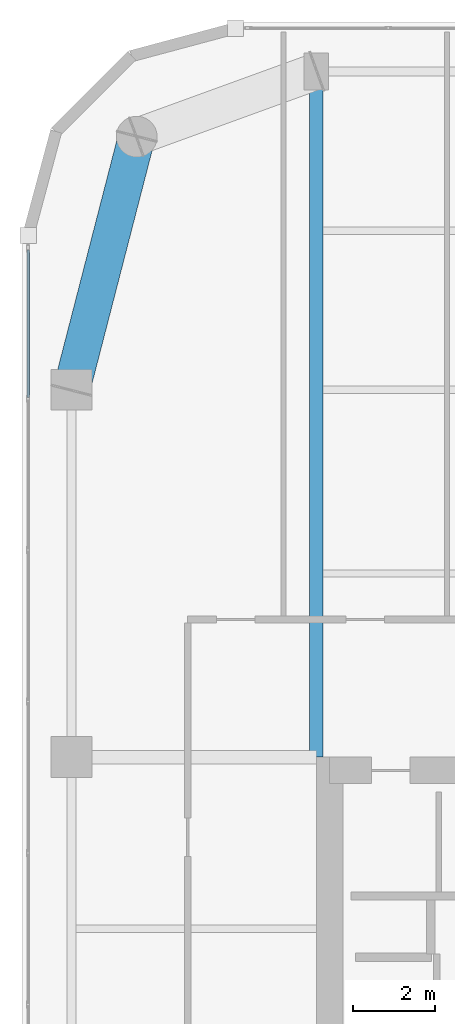
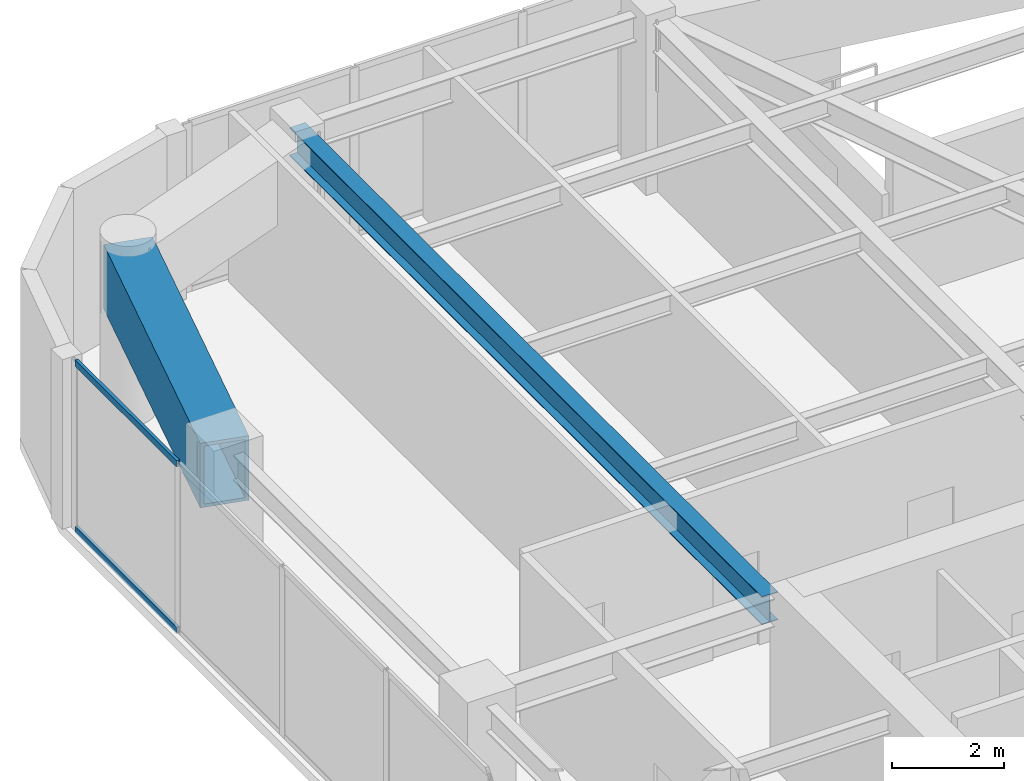
# One storey, part 7 of 22: 2 beams, 2 members, 1 element without a shape of its own.
"""IFC4 building model written with IfcOpenShell, lengths in metres."""

from ifc_helpers import new_model, si_unit, direction, frame, origin, origin_2d, place, context, subcontext, project, spatial, hollow_rectangle, i_section, extrude, material, layer, layer_set, material_profile, profile_set, type_object, element, aggregate, save


model = new_model("IFC4")

# Units and contexts
model_context = context("Model", 3, precision=1e-05, world=origin(), true_north=direction((0.0, 1.0)))
body_context = subcontext(model_context, "Body", "Model", "MODEL_VIEW")
ifc_project = project(units=[si_unit("LENGTHUNIT", "METRE"), si_unit("AREAUNIT", "SQUARE_METRE"), si_unit("VOLUMEUNIT", "CUBIC_METRE"), si_unit("PLANEANGLEUNIT", "RADIAN"), si_unit("MASSUNIT", "GRAM", prefix="KILO")], contexts=[model_context])

# Site, building, storey
site_placement = place(None, origin())
site = spatial("IfcSite", under=ifc_project, at=site_placement, CompositionType="ELEMENT")
building_placement = place(site_placement, origin())
building = spatial("IfcBuilding", under=site, at=building_placement, Name="Kiyonajd Concourse Tower", CompositionType="ELEMENT")
storey_placement = place(building_placement, frame((0.0, 0.0, 243.300048828125)))
storey = spatial("IfcBuildingStorey", under=building, at=storey_placement, Name="L61", CompositionType="ELEMENT", Elevation=243.300048828125)

# Beams
ifc_material_1 = material(Name="Steel ASTM A992 Grade 50", Category="steel")
ifc_material_profile_1 = material_profile(ifc_material_1, i_section(OverallWidth=0.323974609375, OverallDepth=0.611083984375, WebThickness=0.0126953125, FlangeThickness=0.01904296875, at=origin_2d()), Name="W610X155")
ifc_profile_set_1 = profile_set([ifc_material_profile_1], Name="Steel ASTM A992 Grade 50")
beam_type_1 = type_object("IfcBeamType", Name="BM-TWR-610B", PredefinedType="BEAM", material=ifc_profile_set_1)
beam_1_placement = place(storey_placement, frame((32.39990234375, 44.39990234375, 3.37451171875), z_axis=(0.0, 1.0, 0.0), x_axis=(-1.0, 0.0, 0.0)))
element("IfcBeam", 1, at=beam_1_placement, inside=storey, type_object=beam_type_1, Name="L61 North Lease Girder", PredefinedType="BEAM", context=body_context, shape_type="SweptSolid", body=[
    extrude(i_section(OverallWidth=0.323974609375, OverallDepth=0.611083984375, WebThickness=0.0126953125, FlangeThickness=0.01904296875, at=origin_2d()), origin(), (0.0, 0.0, 1.0), 16.800048828125),
])
ifc_material_2 = material(Name="Steel ASTM A572 Grade 50", Category="steel")
ifc_material_profile_2 = material_profile(ifc_material_2, hollow_rectangle(XDim=0.89990234375, YDim=1.39990234375, WallThickness=0.070068359375, at=origin_2d()), Name="BOX-1400x900x70")
ifc_profile_set_2 = profile_set([ifc_material_profile_2], Name="Steel ASTM A572 Grade 50")
beam_type_2 = type_object("IfcBeamType", Name="BM-XFER-1400", PredefinedType="BEAM", material=ifc_profile_set_2)
beam_2_placement = place(storey_placement, frame((28.0, 59.60009765625, 2.97998046875), z_axis=(-0.249884937687, -0.968275538221, 0.0), x_axis=(0.968275538221, -0.249884937687, 0.0)))
element("IfcBeam", 2, at=beam_2_placement, inside=storey, type_object=beam_type_2, Name="L61 Perimeter Bundled Tube Spandrel", PredefinedType="BEAM", context=body_context, shape_type="SweptSolid", body=[
    extrude(hollow_rectangle(XDim=0.89990234375, YDim=1.39990234375, WallThickness=0.070068359375, at=origin_2d()), origin(), (0.0, 0.0, 1.0), 6.4033203125),
])

# Curtain wall, members
ifc_material_3 = material(Name="Thermally Broken Anodised Aluminium", Category="aluminium")
ifc_layer = layer(ifc_material_3, 0.179931640625)
ifc_layer_set = layer_set([ifc_layer], Name="Thermally Broken Anodised Aluminium")
curtain_wall_type = type_object("IfcCurtainWallType", Name="CW-SYS-04", PredefinedType="NOTDEFINED", material=ifc_layer_set)
curtain_wall_placement = place(storey_placement, origin())
curtain_wall = element("IfcCurtainWall", 3, at=curtain_wall_placement, inside=storey, type_object=curtain_wall_type, Name="L61 Unitised Curtain Wall CW4", PredefinedType="NOTDEFINED")
ifc_material_profile_3 = material_profile(ifc_material_3, hollow_rectangle(XDim=0.06494140625, YDim=0.139892578125, WallThickness=0.00390625, at=origin_2d()), Name="TRAN-65x140")
ifc_profile_set_3 = profile_set([ifc_material_profile_3], Name="Thermally Broken Anodised Aluminium")
member_type = type_object("IfcMemberType", Name="MB-CW-TRAN1", PredefinedType="USERDEFINED", material=ifc_profile_set_3)
member_1_placement = place(storey_placement, frame((25.340087890625, 53.2138671875, 0.032470703125), z_axis=(0.0, 1.0, 0.0), x_axis=(-1.0, 0.0, 0.0)))
member_1 = element("IfcMember", 4, at=member_1_placement, type_object=member_type, Name="CW4 transom 6.1", ObjectType="TRANSOM", PredefinedType="USERDEFINED", context=body_context, shape_type="SweptSolid", body=[
    extrude(hollow_rectangle(XDim=0.06494140625, YDim=0.139892578125, WallThickness=0.00390625, at=origin_2d()), origin(), (0.0, 0.0, 1.0), 3.61279296875),
])
member_2_placement = place(storey_placement, frame((25.340087890625, 53.2138671875, 3.6474609375), z_axis=(0.0, 1.0, 0.0), x_axis=(-1.0, 0.0, 0.0)))
member_2 = element("IfcMember", 5, at=member_2_placement, type_object=member_type, Name="CW4 transom 6.2", ObjectType="TRANSOM", PredefinedType="USERDEFINED", context=body_context, shape_type="SweptSolid", body=[
    extrude(hollow_rectangle(XDim=0.06494140625, YDim=0.139892578125, WallThickness=0.00390625, at=origin_2d()), origin(), (0.0, 0.0, 1.0), 3.61279296875),
])
aggregate(curtain_wall, [member_1, member_2])

save(model, "model.ifc")
